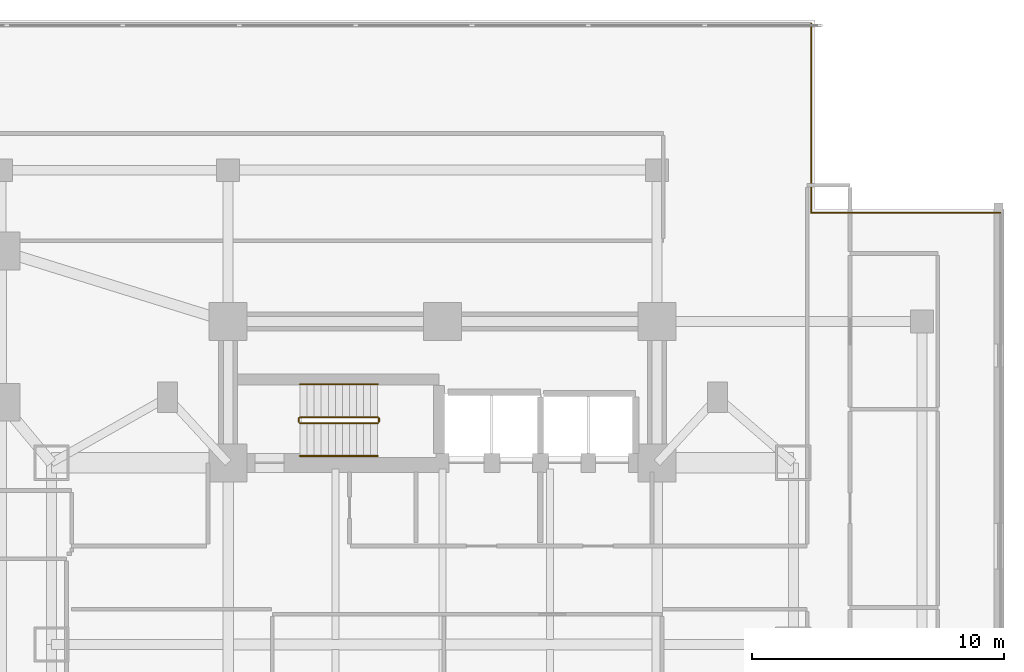
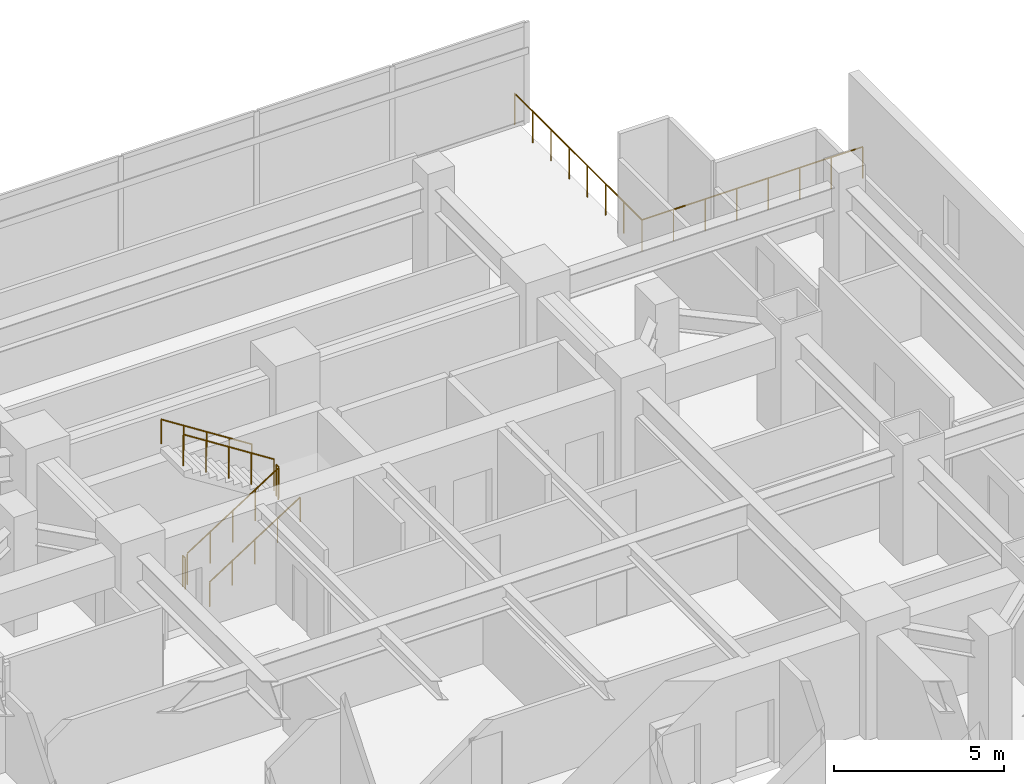
# One storey, part 26 of 26: 8 railings.
"""IFC4 building model written with IfcOpenShell, lengths in metres."""

from ifc_helpers import new_model, si_unit, direction, frame, origin, origin_2d, place, context, subcontext, project, spatial, circle, extrude, material, type_object, element, save


model = new_model("IFC4")

# Units and contexts
model_context = context("Model", 3, precision=1e-05, world=origin(), true_north=direction((0.0, 1.0)))
body_context = subcontext(model_context, "Body", "Model", "MODEL_VIEW")
ifc_project = project(units=[si_unit("LENGTHUNIT", "METRE"), si_unit("AREAUNIT", "SQUARE_METRE"), si_unit("VOLUMEUNIT", "CUBIC_METRE"), si_unit("PLANEANGLEUNIT", "RADIAN"), si_unit("MASSUNIT", "GRAM", prefix="KILO")], contexts=[model_context])

# Site, building, storey
site_placement = place(None, origin())
site = spatial("IfcSite", under=ifc_project, at=site_placement, CompositionType="ELEMENT")
building_placement = place(site_placement, origin())
building = spatial("IfcBuilding", under=site, at=building_placement, Name="Mirazonda Arch Towers", CompositionType="ELEMENT")
storey_placement = place(building_placement, frame((0.0, 0.0, 13.800048828125)))
storey = spatial("IfcBuildingStorey", under=building, at=storey_placement, Name="L03", CompositionType="ELEMENT", Elevation=13.800048828125)

# Railings
ifc_material = material(Name="Architectural Brushed Steel S355", Category="steel")
railing_type_1 = type_object("IfcRailingType", Name="GUARD-EXT-1150", PredefinedType="GUARDRAIL", material=ifc_material)
railing_1_placement = place(storey_placement, frame((98.610107421875, 45.110107421875, 0.0)))
element("IfcRailing", 1, at=railing_1_placement, inside=storey, type_object=railing_type_1, Name="L03 L03 Bridged Podium Perimeter Guard 05", PredefinedType="GUARDRAIL", context=body_context, shape_type="SweptSolid", body=[
    extrude(circle(Radius=0.02392578125, at=origin_2d()), frame((0.0, 0.0, 1.1259765625), z_axis=(-1.0, 0.0, 0.0), x_axis=(0.0, -1.0, 0.0)), (0.0, 0.0, 1.0), 7.5),
    extrude(circle(Radius=0.02099609375, at=origin_2d()), origin(), (0.0, 0.0, 1.0), 1.101806640625),
    extrude(circle(Radius=0.02099609375, at=origin_2d()), frame((-1.071533203125, 0.0, 0.0)), (0.0, 0.0, 1.0), 1.101806640625),
    extrude(circle(Radius=0.02099609375, at=origin_2d()), frame((-2.142822265625, 0.0, 0.0)), (0.0, 0.0, 1.0), 1.101806640625),
    extrude(circle(Radius=0.02099609375, at=origin_2d()), frame((-3.21435546875, 0.0, 0.0)), (0.0, 0.0, 1.0), 1.101806640625),
    extrude(circle(Radius=0.02099609375, at=origin_2d()), frame((-4.28564453125, 0.0, 0.0)), (0.0, 0.0, 1.0), 1.101806640625),
    extrude(circle(Radius=0.02099609375, at=origin_2d()), frame((-5.357177734375, 0.0, 0.0)), (0.0, 0.0, 1.0), 1.101806640625),
    extrude(circle(Radius=0.02099609375, at=origin_2d()), frame((-6.428466796875, 0.0, 0.0)), (0.0, 0.0, 1.0), 1.101806640625),
    extrude(circle(Radius=0.02099609375, at=origin_2d()), frame((-7.5, 0.0, 0.0)), (0.0, 0.0, 1.0), 1.101806640625),
])
railing_2_placement = place(storey_placement, frame((91.110107421875, 45.110107421875, 0.0)))
element("IfcRailing", 2, at=railing_2_placement, inside=storey, type_object=railing_type_1, Name="L03 L03 Bridged Podium Perimeter Guard 06", PredefinedType="GUARDRAIL", context=body_context, shape_type="SweptSolid", body=[
    extrude(circle(Radius=0.02392578125, at=origin_2d()), frame((0.0, 0.0, 1.1259765625), z_axis=(0.0, 1.0, 0.0), x_axis=(-1.0, 0.0, 0.0)), (0.0, 0.0, 1.0), 7.5),
    extrude(circle(Radius=0.02099609375, at=origin_2d()), origin(), (0.0, 0.0, 1.0), 1.101806640625),
    extrude(circle(Radius=0.02099609375, at=origin_2d()), frame((0.0, 1.071533203125, 0.0)), (0.0, 0.0, 1.0), 1.101806640625),
    extrude(circle(Radius=0.02099609375, at=origin_2d()), frame((0.0, 2.142822265625, 0.0)), (0.0, 0.0, 1.0), 1.101806640625),
    extrude(circle(Radius=0.02099609375, at=origin_2d()), frame((0.0, 3.21435546875, 0.0)), (0.0, 0.0, 1.0), 1.101806640625),
    extrude(circle(Radius=0.02099609375, at=origin_2d()), frame((0.0, 4.28564453125, 0.0)), (0.0, 0.0, 1.0), 1.101806640625),
    extrude(circle(Radius=0.02099609375, at=origin_2d()), frame((0.0, 5.357177734375, 0.0)), (0.0, 0.0, 1.0), 1.101806640625),
    extrude(circle(Radius=0.02099609375, at=origin_2d()), frame((0.0, 6.428466796875, 0.0)), (0.0, 0.0, 1.0), 1.101806640625),
    extrude(circle(Radius=0.02099609375, at=origin_2d()), frame((0.0, 7.5, 0.0)), (0.0, 0.0, 1.0), 1.101806640625),
])
railing_type_2 = type_object("IfcRailingType", Name="GUARD-STAIR-1120", PredefinedType="GUARDRAIL", material=ifc_material)
railing_3_placement = place(storey_placement, frame((70.85009765625, 36.77001953125, 0.17919921875)))
element("IfcRailing", 3, at=railing_3_placement, inside=storey, type_object=railing_type_2, Name="L03 ST-T2N stair guard 1", PredefinedType="GUARDRAIL", context=body_context, shape_type="SweptSolid", body=[
    extrude(circle(Radius=0.02392578125, at=origin_2d()), frame((0.0, 0.0, 1.1259765625), z_axis=(0.842319903074, 0.0, 0.538977903893), x_axis=(0.0, 1.0, 0.0)), (0.0, 0.0, 1.0), 3.65625),
    extrude(circle(Radius=0.02099609375, at=origin_2d()), origin(), (0.0, 0.0, 1.0), 1.101806640625),
    extrude(circle(Radius=0.02099609375, at=origin_2d()), frame((0.77001953125, 0.0, 0.49267578125)), (0.0, 0.0, 1.0), 1.101806640625),
    extrude(circle(Radius=0.02099609375, at=origin_2d()), frame((1.5400390625, 0.0, 0.9853515625)), (0.0, 0.0, 1.0), 1.101806640625),
    extrude(circle(Radius=0.02099609375, at=origin_2d()), frame((2.309814453125, 0.0, 1.47802734375)), (0.0, 0.0, 1.0), 1.101806640625),
    extrude(circle(Radius=0.02099609375, at=origin_2d()), frame((3.079833984375, 0.0, 1.970703125)), (0.0, 0.0, 1.0), 1.101806640625),
])
railing_4_placement = place(storey_placement, frame((73.97998046875, 36.820068359375, 2.14990234375)))
element("IfcRailing", 4, at=railing_4_placement, inside=storey, type_object=railing_type_2, Name="L03 ST-T2N stair guard 2", PredefinedType="GUARDRAIL", context=body_context, shape_type="SweptSolid", body=[
    extrude(circle(Radius=0.02392578125, at=origin_2d()), frame((0.0, 0.0, 1.1259765625), z_axis=(0.0, 1.0, 0.0), x_axis=(-1.0, 0.0, 0.0)), (0.0, 0.0, 1.0), 0.139892578125),
    extrude(circle(Radius=0.02099609375, at=origin_2d()), origin(), (0.0, 0.0, 1.0), 1.101806640625),
    extrude(circle(Radius=0.02099609375, at=origin_2d()), frame((0.0, 0.139892578125, 0.0)), (0.0, 0.0, 1.0), 1.101806640625),
])
railing_5_placement = place(storey_placement, frame((73.929931640625, 37.010009765625, 2.3291015625)))
element("IfcRailing", 5, at=railing_5_placement, inside=storey, type_object=railing_type_2, Name="L03 ST-T2N stair guard 3", PredefinedType="GUARDRAIL", context=body_context, shape_type="SweptSolid", body=[
    extrude(circle(Radius=0.02392578125, at=origin_2d()), frame((0.0, 0.0, 1.1259765625), z_axis=(-0.842289589211, 0.0, 0.539025275759), x_axis=(0.0, -1.0, 0.0)), (0.0, 0.0, 1.0), 3.656494140625),
    extrude(circle(Radius=0.02099609375, at=origin_2d()), origin(), (0.0, 0.0, 1.0), 1.101806640625),
    extrude(circle(Radius=0.02099609375, at=origin_2d()), frame((-0.77001953125, 0.0, 0.49267578125)), (0.0, 0.0, 1.0), 1.101806640625),
    extrude(circle(Radius=0.02099609375, at=origin_2d()), frame((-1.5400390625, 0.0, 0.9853515625)), (0.0, 0.0, 1.0), 1.101806640625),
    extrude(circle(Radius=0.02099609375, at=origin_2d()), frame((-2.309814453125, 0.0, 1.478271484375)), (0.0, 0.0, 1.0), 1.101806640625),
    extrude(circle(Radius=0.02099609375, at=origin_2d()), frame((-3.079833984375, 0.0, 1.970947265625)), (0.0, 0.0, 1.0), 1.101806640625),
])
railing_6_placement = place(storey_placement, frame((70.800048828125, 36.820068359375, 0.0)))
element("IfcRailing", 6, at=railing_6_placement, inside=storey, type_object=railing_type_2, Name="L03 ST-T2N stair guard 4", PredefinedType="GUARDRAIL", context=body_context, shape_type="SweptSolid", body=[
    extrude(circle(Radius=0.02392578125, at=origin_2d()), frame((0.0, 0.0, 1.1259765625), z_axis=(0.0, 1.0, 0.0), x_axis=(-1.0, 0.0, 0.0)), (0.0, 0.0, 1.0), 0.139892578125),
    extrude(circle(Radius=0.02099609375, at=origin_2d()), origin(), (0.0, 0.0, 1.0), 1.101806640625),
    extrude(circle(Radius=0.02099609375, at=origin_2d()), frame((0.0, 0.139892578125, 0.0)), (0.0, 0.0, 1.0), 1.101806640625),
])
railing_type_3 = type_object("IfcRailingType", Name="HANDRAIL-915", PredefinedType="HANDRAIL", material=ifc_material)
railing_7_placement = place(storey_placement, frame((70.85009765625, 35.469970703125, 0.17919921875)))
element("IfcRailing", 7, at=railing_7_placement, inside=storey, type_object=railing_type_3, Name="L03 ST-T2N stair handrail 1", PredefinedType="HANDRAIL", context=body_context, shape_type="SweptSolid", body=[
    extrude(circle(Radius=0.02392578125, at=origin_2d()), frame((0.0, 0.0, 0.8759765625), z_axis=(0.842319903074, 0.0, 0.538977903893), x_axis=(0.0, 1.0, 0.0)), (0.0, 0.0, 1.0), 3.65625),
    extrude(circle(Radius=0.02099609375, at=origin_2d()), origin(), (0.0, 0.0, 1.0), 0.851806640625),
    extrude(circle(Radius=0.02099609375, at=origin_2d()), frame((0.77001953125, 0.0, 0.49267578125)), (0.0, 0.0, 1.0), 0.851806640625),
    extrude(circle(Radius=0.02099609375, at=origin_2d()), frame((1.5400390625, 0.0, 0.9853515625)), (0.0, 0.0, 1.0), 0.851806640625),
    extrude(circle(Radius=0.02099609375, at=origin_2d()), frame((2.309814453125, 0.0, 1.47802734375)), (0.0, 0.0, 1.0), 0.851806640625),
    extrude(circle(Radius=0.02099609375, at=origin_2d()), frame((3.079833984375, 0.0, 1.970703125)), (0.0, 0.0, 1.0), 0.851806640625),
])
railing_8_placement = place(storey_placement, frame((73.929931640625, 38.31005859375, 2.3291015625)))
element("IfcRailing", 8, at=railing_8_placement, inside=storey, type_object=railing_type_3, Name="L03 ST-T2N stair handrail 2", PredefinedType="HANDRAIL", context=body_context, shape_type="SweptSolid", body=[
    extrude(circle(Radius=0.02392578125, at=origin_2d()), frame((0.0, 0.0, 0.8759765625), z_axis=(-0.842289589211, 0.0, 0.539025275759), x_axis=(0.0, -1.0, 0.0)), (0.0, 0.0, 1.0), 3.656494140625),
    extrude(circle(Radius=0.02099609375, at=origin_2d()), origin(), (0.0, 0.0, 1.0), 0.851806640625),
    extrude(circle(Radius=0.02099609375, at=origin_2d()), frame((-0.77001953125, 0.0, 0.49267578125)), (0.0, 0.0, 1.0), 0.851806640625),
    extrude(circle(Radius=0.02099609375, at=origin_2d()), frame((-1.5400390625, 0.0, 0.9853515625)), (0.0, 0.0, 1.0), 0.851806640625),
    extrude(circle(Radius=0.02099609375, at=origin_2d()), frame((-2.309814453125, 0.0, 1.478271484375)), (0.0, 0.0, 1.0), 0.851806640625),
    extrude(circle(Radius=0.02099609375, at=origin_2d()), frame((-3.079833984375, 0.0, 1.970947265625)), (0.0, 0.0, 1.0), 0.851806640625),
])

save(model, "model.ifc")
